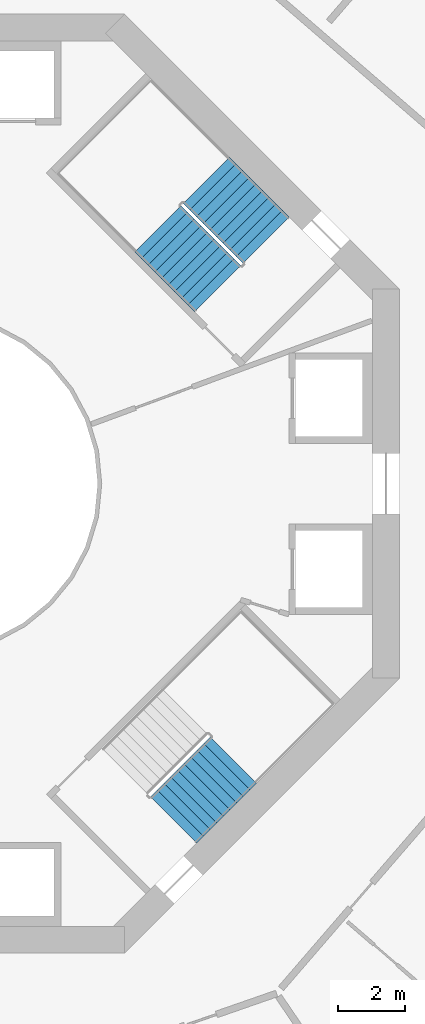
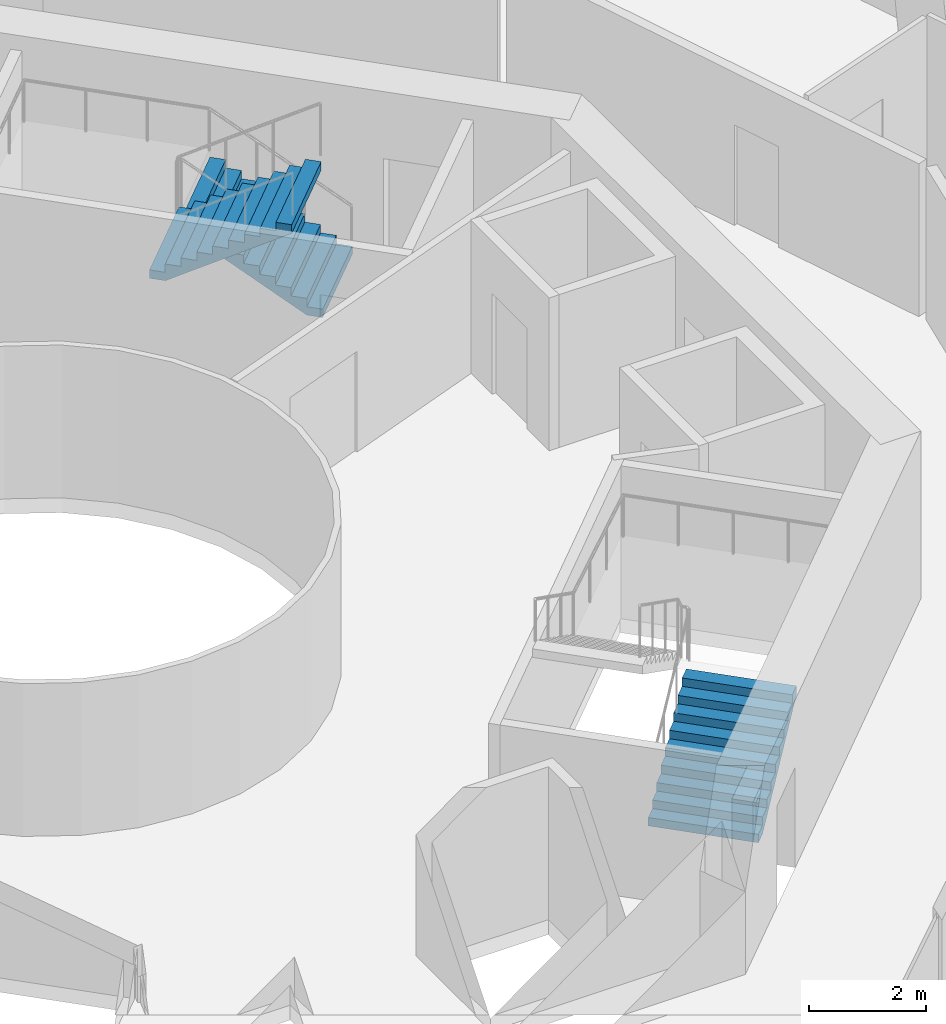
# One storey, part 22 of 23: 3 stair flights, 2 elements without a shape of their own.
"""IFC4 building model written with IfcOpenShell, lengths in metres."""

from ifc_helpers import new_model, si_unit, direction, frame, origin, place, context, subcontext, project, spatial, triangles, material, type_object, element, aggregate, save


model = new_model("IFC4")

# Units and contexts
model_context = context("Model", 3, precision=1e-05, world=origin(), true_north=direction((0.0, 1.0)))
body_context = subcontext(model_context, "Body", "Model", "MODEL_VIEW")
ifc_project = project(units=[si_unit("LENGTHUNIT", "METRE"), si_unit("AREAUNIT", "SQUARE_METRE"), si_unit("VOLUMEUNIT", "CUBIC_METRE"), si_unit("PLANEANGLEUNIT", "RADIAN"), si_unit("MASSUNIT", "GRAM", prefix="KILO")], contexts=[model_context])

# Site, building, storey
site_placement = place(None, origin())
site = spatial("IfcSite", under=ifc_project, at=site_placement, CompositionType="ELEMENT")
building_placement = place(site_placement, origin())
building = spatial("IfcBuilding", under=site, at=building_placement, Name="Verdalira Terraces Hotel", CompositionType="ELEMENT")
storey_placement = place(building_placement, frame((0.0, 0.0, 111.5)))
storey = spatial("IfcBuildingStorey", under=building, at=storey_placement, Name="L26", CompositionType="ELEMENT", Elevation=111.5)

# Stair, stair flights
ifc_material_1 = material(Name="Concrete C40", Category="concrete")
stair_type = type_object("IfcStairType", Name="Core stair 20 risers 1950 mm wide", PredefinedType="HALF_TURN_STAIR", material=ifc_material_1)
stair_1_placement = place(storey_placement, origin())
stair_1 = element("IfcStair", 1, at=stair_1_placement, inside=storey, type_object=stair_type, Name="L26 Exit stair ST1", PredefinedType="HALF_TURN_STAIR")
ifc_material_2 = material(Name="Concrete C40", Category="concrete")
stair_flight_type = type_object("IfcStairFlightType", Name="Core stair flight 20 risers 1950 mm wide", PredefinedType="STRAIGHT", material=ifc_material_2)
stair_flight_1_placement = place(storey_placement, frame((10.023193, 7.265625, 0.0), z_axis=(0.0, 0.0, 1.0), x_axis=(-0.707106781, 0.707106781, 0.0)))
stair_flight_1 = element("IfcStairFlight", 2, at=stair_flight_1_placement, type_object=stair_flight_type, Name="ST1 flight 1", NumberOfRisers=10, NumberOfTreads=9, PredefinedType="STRAIGHT", RiserHeight=0.175, TreadLength=0.28, context=body_context, shape_type="Tessellation", body=[
    triangles([(0.0, 0.974976, 0.0), (0.282715, 0.974976, 0.0), (2.52002, 0.974976, 1.398193), (0.0, -0.974976, 0.0), (0.282715, -0.974976, 0.0), (2.52002, -0.974976, 1.398193), (2.52002, 0.974976, 1.574951), (2.23999, 0.974976, 1.574951), (2.52002, -0.974976, 1.574951), (2.23999, -0.974976, 1.574951), (2.23999, 0.974976, 1.399902), (2.23999, -0.974976, 1.399902), (1.959961, 0.974976, 1.399902), (1.959961, -0.974976, 1.399902), (1.959961, 0.974976, 1.225098), (1.959961, -0.974976, 1.225098), (1.679932, 0.974976, 1.225098), (1.679932, 0.974976, 1.050049), (1.679932, -0.974976, 1.225098), (1.679932, -0.974976, 1.050049), (1.399902, 0.974976, 1.050049), (1.399902, 0.974976, 0.875), (1.399902, -0.974976, 1.050049), (1.399902, -0.974976, 0.875), (1.120117, 0.974976, 0.875), (1.120117, 0.974976, 0.699951), (1.120117, -0.974976, 0.875), (1.120117, -0.974976, 0.699951), (0.840088, 0.974976, 0.699951), (0.840088, 0.974976, 0.524902), (0.840088, -0.974976, 0.699951), (0.840088, -0.974976, 0.524902), (0.560059, 0.974976, 0.524902), (0.560059, 0.974976, 0.350098), (0.560059, -0.974976, 0.524902), (0.560059, -0.974976, 0.350098), (0.280029, 0.974976, 0.350098), (0.280029, 0.974976, 0.175049), (0.280029, -0.974976, 0.350098), (0.280029, -0.974976, 0.175049), (0.0, 0.974976, 0.175049), (0.0, -0.974976, 0.175049), (0.0, -0.91404, 0.0), (0.0, -0.91404, 0.175049), (0.0, -0.853104, 0.0), (0.0, -0.853104, 0.175049), (0.0, -0.792168, 0.0), (0.0, -0.792168, 0.175049), (0.0, -0.731232, 0.0), (0.0, -0.731232, 0.175049), (0.0, -0.670296, 0.0), (0.0, -0.670296, 0.175049), (0.0, -0.60936, 0.0), (0.0, -0.60936, 0.175049), (0.0, -0.548424, 0.0), (0.0, -0.548424, 0.175049), (0.0, -0.487488, 0.0), (0.0, -0.487488, 0.175049), (0.0, -0.426552, 0.0), (0.0, -0.426552, 0.175049), (0.0, -0.365616, 0.0), (0.0, -0.365616, 0.175049), (0.0, -0.30468, 0.0), (0.0, -0.30468, 0.175049), (0.0, -0.243744, 0.0), (0.0, -0.243744, 0.175049), (0.0, -0.182808, 0.0), (0.0, -0.182808, 0.175049), (0.0, -0.121872, 0.0), (0.0, -0.121872, 0.175049), (0.0, -0.060936, 0.0), (0.0, -0.060936, 0.175049), (0.0, 0.0, 0.0), (0.0, 0.0, 0.175049), (0.0, 0.060936, 0.0), (0.0, 0.060936, 0.175049), (0.0, 0.121872, 0.0), (0.0, 0.121872, 0.175049), (0.0, 0.182808, 0.0), (0.0, 0.182808, 0.175049), (0.0, 0.243744, 0.0), (0.0, 0.243744, 0.175049), (0.0, 0.30468, 0.0), (0.0, 0.30468, 0.175049), (0.0, 0.365616, 0.0), (0.0, 0.365616, 0.175049), (0.0, 0.426552, 0.0), (0.0, 0.426552, 0.175049), (0.0, 0.487488, 0.0), (0.0, 0.487488, 0.175049), (0.0, 0.548424, 0.0), (0.0, 0.548424, 0.175049), (0.0, 0.60936, 0.0), (0.0, 0.60936, 0.175049), (0.0, 0.670296, 0.0), (0.0, 0.670296, 0.175049), (0.0, 0.731232, 0.0), (0.0, 0.731232, 0.175049), (0.0, 0.792168, 0.0), (0.0, 0.792168, 0.175049), (0.0, 0.853104, 0.0), (0.0, 0.853104, 0.175049), (0.0, 0.91404, 0.0), (0.0, 0.91404, 0.175049), (2.52002, -0.91404, 1.574951), (2.52002, -0.853104, 1.574951), (2.52002, -0.792168, 1.574951), (2.52002, -0.731232, 1.574951), (2.52002, -0.670296, 1.574951), (2.52002, -0.60936, 1.574951), (2.52002, -0.548424, 1.574951), (2.52002, -0.487488, 1.574951), (2.52002, -0.426552, 1.574951), (2.52002, -0.365616, 1.574951), (2.52002, -0.30468, 1.574951), (2.52002, -0.243744, 1.574951), (2.52002, -0.182808, 1.574951), (2.52002, -0.121872, 1.574951), (2.52002, -0.060936, 1.574951), (2.52002, 0.0, 1.574951), (2.52002, 0.060936, 1.574951), (2.52002, 0.121872, 1.574951), (2.52002, 0.182808, 1.574951), (2.52002, 0.243744, 1.574951), (2.52002, 0.30468, 1.574951), (2.52002, 0.365616, 1.574951), (2.52002, 0.426552, 1.574951), (2.52002, 0.487488, 1.574951), (2.52002, 0.548424, 1.574951), (2.52002, 0.60936, 1.574951), (2.52002, 0.670296, 1.574951), (2.52002, 0.731232, 1.574951), (2.52002, 0.792168, 1.574951), (2.52002, 0.853104, 1.574951), (2.52002, 0.91404, 1.574951), (2.52002, -0.91404, 1.398193), (2.52002, -0.853104, 1.398193), (2.52002, -0.792168, 1.398193), (2.52002, -0.731232, 1.398193), (2.52002, -0.670296, 1.398193), (2.52002, -0.60936, 1.398193), (2.52002, -0.548424, 1.398193), (2.52002, -0.487488, 1.398193), (2.52002, -0.426552, 1.398193), (2.52002, -0.365616, 1.398193), (2.52002, -0.30468, 1.398193), (2.52002, -0.243744, 1.398193), (2.52002, -0.182808, 1.398193), (2.52002, -0.121872, 1.398193), (2.52002, -0.060936, 1.398193), (2.52002, 0.0, 1.398193), (2.52002, 0.060936, 1.398193), (2.52002, 0.121872, 1.398193), (2.52002, 0.182808, 1.398193), (2.52002, 0.243744, 1.398193), (2.52002, 0.30468, 1.398193), (2.52002, 0.365616, 1.398193), (2.52002, 0.426552, 1.398193), (2.52002, 0.487488, 1.398193), (2.52002, 0.548424, 1.398193), (2.52002, 0.60936, 1.398193), (2.52002, 0.670296, 1.398193), (2.52002, 0.731232, 1.398193), (2.52002, 0.792168, 1.398193), (2.52002, 0.853104, 1.398193), (2.52002, 0.91404, 1.398193)], [[1, 3, 2], [4, 5, 6], [3, 8, 7], [6, 9, 10], [3, 11, 8], [6, 10, 12], [3, 13, 11], [6, 12, 14], [3, 15, 13], [6, 14, 16], [15, 18, 17], [16, 19, 20], [3, 18, 15], [6, 16, 20], [18, 22, 21], [20, 23, 24], [3, 22, 18], [6, 20, 24], [22, 26, 25], [24, 27, 28], [3, 26, 22], [6, 24, 28], [26, 30, 29], [28, 31, 32], [3, 30, 26], [6, 28, 32], [1, 30, 3], [4, 6, 32], [30, 34, 33], [32, 35, 36], [34, 38, 37], [36, 39, 40], [30, 38, 34], [32, 36, 40], [1, 38, 30], [4, 32, 40], [38, 1, 41], [40, 42, 4], [4, 44, 43], [4, 42, 44], [43, 46, 45], [43, 44, 46], [45, 48, 47], [45, 46, 48], [47, 50, 49], [47, 48, 50], [49, 52, 51], [49, 50, 52], [51, 54, 53], [51, 52, 54], [53, 56, 55], [53, 54, 56], [55, 58, 57], [55, 56, 58], [57, 60, 59], [57, 58, 60], [59, 62, 61], [59, 60, 62], [61, 64, 63], [61, 62, 64], [63, 66, 65], [63, 64, 66], [65, 68, 67], [65, 66, 68], [67, 70, 69], [67, 68, 70], [69, 72, 71], [69, 70, 72], [71, 74, 73], [71, 72, 74], [73, 76, 75], [73, 74, 76], [75, 78, 77], [75, 76, 78], [77, 80, 79], [77, 78, 80], [79, 82, 81], [79, 80, 82], [81, 84, 83], [81, 82, 84], [83, 86, 85], [83, 84, 86], [85, 88, 87], [85, 86, 88], [87, 90, 89], [87, 88, 90], [89, 92, 91], [89, 90, 92], [91, 94, 93], [91, 92, 94], [93, 96, 95], [93, 94, 96], [95, 98, 97], [95, 96, 98], [97, 100, 99], [97, 98, 100], [99, 102, 101], [99, 100, 102], [101, 104, 103], [101, 102, 104], [103, 41, 1], [103, 104, 41], [42, 40, 44], [44, 40, 46], [46, 40, 48], [48, 40, 50], [50, 40, 52], [52, 40, 54], [54, 40, 56], [56, 40, 58], [58, 40, 60], [60, 40, 62], [62, 40, 64], [64, 40, 66], [66, 40, 68], [68, 40, 70], [70, 40, 72], [72, 40, 74], [74, 40, 76], [76, 40, 78], [78, 40, 80], [80, 40, 82], [82, 40, 84], [84, 40, 86], [86, 40, 88], [88, 40, 90], [90, 40, 92], [92, 40, 94], [94, 40, 96], [96, 40, 98], [98, 40, 100], [100, 40, 102], [102, 40, 104], [104, 40, 41], [41, 40, 38], [40, 37, 38], [40, 39, 37], [39, 34, 37], [39, 36, 34], [36, 33, 34], [36, 35, 33], [35, 30, 33], [35, 32, 30], [32, 29, 30], [32, 31, 29], [31, 26, 29], [31, 28, 26], [28, 25, 26], [28, 27, 25], [27, 22, 25], [27, 24, 22], [24, 21, 22], [24, 23, 21], [23, 18, 21], [23, 20, 18], [20, 17, 18], [20, 19, 17], [19, 15, 17], [19, 16, 15], [16, 13, 15], [16, 14, 13], [14, 11, 13], [14, 12, 11], [12, 8, 11], [12, 10, 8], [9, 105, 10], [105, 106, 10], [106, 107, 10], [107, 108, 10], [108, 109, 10], [109, 110, 10], [110, 111, 10], [111, 112, 10], [112, 113, 10], [113, 114, 10], [114, 115, 10], [115, 116, 10], [116, 117, 10], [117, 118, 10], [118, 119, 10], [119, 120, 10], [120, 121, 10], [121, 122, 10], [122, 123, 10], [123, 124, 10], [124, 125, 10], [125, 126, 10], [126, 127, 10], [127, 128, 10], [128, 129, 10], [129, 130, 10], [130, 131, 10], [131, 132, 10], [132, 133, 10], [133, 134, 10], [134, 135, 10], [135, 7, 10], [7, 8, 10], [9, 136, 105], [9, 6, 136], [105, 137, 106], [105, 136, 137], [106, 138, 107], [106, 137, 138], [107, 139, 108], [107, 138, 139], [108, 140, 109], [108, 139, 140], [109, 141, 110], [109, 140, 141], [110, 142, 111], [110, 141, 142], [111, 143, 112], [111, 142, 143], [112, 144, 113], [112, 143, 144], [113, 145, 114], [113, 144, 145], [114, 146, 115], [114, 145, 146], [115, 147, 116], [115, 146, 147], [116, 148, 117], [116, 147, 148], [117, 149, 118], [117, 148, 149], [118, 150, 119], [118, 149, 150], [119, 151, 120], [119, 150, 151], [120, 152, 121], [120, 151, 152], [121, 153, 122], [121, 152, 153], [122, 154, 123], [122, 153, 154], [123, 155, 124], [123, 154, 155], [124, 156, 125], [124, 155, 156], [125, 157, 126], [125, 156, 157], [126, 158, 127], [126, 157, 158], [127, 159, 128], [127, 158, 159], [128, 160, 129], [128, 159, 160], [129, 161, 130], [129, 160, 161], [130, 162, 131], [130, 161, 162], [131, 163, 132], [131, 162, 163], [132, 164, 133], [132, 163, 164], [133, 165, 134], [133, 164, 165], [134, 166, 135], [134, 165, 166], [135, 3, 7], [135, 166, 3], [6, 5, 136], [136, 5, 137], [137, 5, 138], [138, 5, 139], [139, 5, 140], [140, 5, 141], [141, 5, 142], [142, 5, 143], [143, 5, 144], [144, 5, 145], [145, 5, 146], [146, 5, 147], [147, 5, 148], [148, 5, 149], [149, 5, 150], [150, 5, 151], [151, 5, 152], [152, 5, 153], [153, 5, 154], [154, 5, 155], [155, 5, 156], [156, 5, 157], [157, 5, 158], [158, 5, 159], [159, 5, 160], [160, 5, 161], [161, 5, 162], [162, 5, 163], [163, 5, 164], [164, 5, 165], [165, 5, 166], [166, 5, 3], [3, 5, 2], [4, 43, 5], [43, 45, 5], [45, 47, 5], [47, 49, 5], [49, 51, 5], [51, 53, 5], [53, 55, 5], [55, 57, 5], [57, 59, 5], [59, 61, 5], [61, 63, 5], [63, 65, 5], [65, 67, 5], [67, 69, 5], [69, 71, 5], [71, 73, 5], [73, 75, 5], [75, 77, 5], [77, 79, 5], [79, 81, 5], [81, 83, 5], [83, 85, 5], [85, 87, 5], [87, 89, 5], [89, 91, 5], [91, 93, 5], [93, 95, 5], [95, 97, 5], [97, 99, 5], [99, 101, 5], [101, 103, 5], [103, 1, 5], [1, 2, 5]], closed=True),
])
stair_flight_2_placement = place(storey_placement, frame((6.791748, 7.5979, 1.75), z_axis=(0.0, 0.0, 1.0), x_axis=(0.707106781, -0.707106781, 0.0)))
stair_flight_2 = element("IfcStairFlight", 3, at=stair_flight_2_placement, type_object=stair_flight_type, Name="ST1 flight 2", NumberOfRisers=10, NumberOfTreads=9, PredefinedType="STRAIGHT", RiserHeight=0.175, TreadLength=0.28, context=body_context, shape_type="Tessellation", body=[
    triangles([(0.0, 0.974976, 0.0), (0.282715, 0.974976, 0.0), (2.52002, 0.974976, 1.398193), (0.0, -0.974976, 0.0), (0.282715, -0.974976, 0.0), (2.52002, -0.974976, 1.398193), (2.52002, 0.974976, 1.574951), (2.23999, 0.974976, 1.574951), (2.52002, -0.974976, 1.574951), (2.23999, -0.974976, 1.574951), (2.23999, 0.974976, 1.399902), (2.23999, -0.974976, 1.399902), (1.959961, 0.974976, 1.399902), (1.959961, -0.974976, 1.399902), (1.959961, 0.974976, 1.225098), (1.959961, -0.974976, 1.225098), (1.679932, 0.974976, 1.225098), (1.679932, 0.974976, 1.050049), (1.679932, -0.974976, 1.225098), (1.679932, -0.974976, 1.050049), (1.399902, 0.974976, 1.050049), (1.399902, 0.974976, 0.875), (1.399902, -0.974976, 1.050049), (1.399902, -0.974976, 0.875), (1.120117, 0.974976, 0.875), (1.120117, 0.974976, 0.699951), (1.120117, -0.974976, 0.875), (1.120117, -0.974976, 0.699951), (0.840088, 0.974976, 0.699951), (0.840088, 0.974976, 0.524902), (0.840088, -0.974976, 0.699951), (0.840088, -0.974976, 0.524902), (0.560059, 0.974976, 0.524902), (0.560059, 0.974976, 0.350098), (0.560059, -0.974976, 0.524902), (0.560059, -0.974976, 0.350098), (0.280029, 0.974976, 0.350098), (0.280029, 0.974976, 0.175049), (0.280029, -0.974976, 0.350098), (0.280029, -0.974976, 0.175049), (0.0, 0.974976, 0.175049), (0.0, -0.974976, 0.175049), (0.0, -0.91404, 0.0), (0.0, -0.91404, 0.175049), (0.0, -0.853104, 0.0), (0.0, -0.853104, 0.175049), (0.0, -0.792168, 0.0), (0.0, -0.792168, 0.175049), (0.0, -0.731232, 0.0), (0.0, -0.731232, 0.175049), (0.0, -0.670296, 0.0), (0.0, -0.670296, 0.175049), (0.0, -0.60936, 0.0), (0.0, -0.60936, 0.175049), (0.0, -0.548424, 0.0), (0.0, -0.548424, 0.175049), (0.0, -0.487488, 0.0), (0.0, -0.487488, 0.175049), (0.0, -0.426552, 0.0), (0.0, -0.426552, 0.175049), (0.0, -0.365616, 0.0), (0.0, -0.365616, 0.175049), (0.0, -0.30468, 0.0), (0.0, -0.30468, 0.175049), (0.0, -0.243744, 0.0), (0.0, -0.243744, 0.175049), (0.0, -0.182808, 0.0), (0.0, -0.182808, 0.175049), (0.0, -0.121872, 0.0), (0.0, -0.121872, 0.175049), (0.0, -0.060936, 0.0), (0.0, -0.060936, 0.175049), (0.0, 0.0, 0.0), (0.0, 0.0, 0.175049), (0.0, 0.060936, 0.0), (0.0, 0.060936, 0.175049), (0.0, 0.121872, 0.0), (0.0, 0.121872, 0.175049), (0.0, 0.182808, 0.0), (0.0, 0.182808, 0.175049), (0.0, 0.243744, 0.0), (0.0, 0.243744, 0.175049), (0.0, 0.30468, 0.0), (0.0, 0.30468, 0.175049), (0.0, 0.365616, 0.0), (0.0, 0.365616, 0.175049), (0.0, 0.426552, 0.0), (0.0, 0.426552, 0.175049), (0.0, 0.487488, 0.0), (0.0, 0.487488, 0.175049), (0.0, 0.548424, 0.0), (0.0, 0.548424, 0.175049), (0.0, 0.60936, 0.0), (0.0, 0.60936, 0.175049), (0.0, 0.670296, 0.0), (0.0, 0.670296, 0.175049), (0.0, 0.731232, 0.0), (0.0, 0.731232, 0.175049), (0.0, 0.792168, 0.0), (0.0, 0.792168, 0.175049), (0.0, 0.853104, 0.0), (0.0, 0.853104, 0.175049), (0.0, 0.91404, 0.0), (0.0, 0.91404, 0.175049), (2.52002, -0.91404, 1.574951), (2.52002, -0.853104, 1.574951), (2.52002, -0.792168, 1.574951), (2.52002, -0.731232, 1.574951), (2.52002, -0.670296, 1.574951), (2.52002, -0.60936, 1.574951), (2.52002, -0.548424, 1.574951), (2.52002, -0.487488, 1.574951), (2.52002, -0.426552, 1.574951), (2.52002, -0.365616, 1.574951), (2.52002, -0.30468, 1.574951), (2.52002, -0.243744, 1.574951), (2.52002, -0.182808, 1.574951), (2.52002, -0.121872, 1.574951), (2.52002, -0.060936, 1.574951), (2.52002, 0.0, 1.574951), (2.52002, 0.060936, 1.574951), (2.52002, 0.121872, 1.574951), (2.52002, 0.182808, 1.574951), (2.52002, 0.243744, 1.574951), (2.52002, 0.30468, 1.574951), (2.52002, 0.365616, 1.574951), (2.52002, 0.426552, 1.574951), (2.52002, 0.487488, 1.574951), (2.52002, 0.548424, 1.574951), (2.52002, 0.60936, 1.574951), (2.52002, 0.670296, 1.574951), (2.52002, 0.731232, 1.574951), (2.52002, 0.792168, 1.574951), (2.52002, 0.853104, 1.574951), (2.52002, 0.91404, 1.574951), (2.52002, -0.91404, 1.398193), (2.52002, -0.853104, 1.398193), (2.52002, -0.792168, 1.398193), (2.52002, -0.731232, 1.398193), (2.52002, -0.670296, 1.398193), (2.52002, -0.60936, 1.398193), (2.52002, -0.548424, 1.398193), (2.52002, -0.487488, 1.398193), (2.52002, -0.426552, 1.398193), (2.52002, -0.365616, 1.398193), (2.52002, -0.30468, 1.398193), (2.52002, -0.243744, 1.398193), (2.52002, -0.182808, 1.398193), (2.52002, -0.121872, 1.398193), (2.52002, -0.060936, 1.398193), (2.52002, 0.0, 1.398193), (2.52002, 0.060936, 1.398193), (2.52002, 0.121872, 1.398193), (2.52002, 0.182808, 1.398193), (2.52002, 0.243744, 1.398193), (2.52002, 0.30468, 1.398193), (2.52002, 0.365616, 1.398193), (2.52002, 0.426552, 1.398193), (2.52002, 0.487488, 1.398193), (2.52002, 0.548424, 1.398193), (2.52002, 0.60936, 1.398193), (2.52002, 0.670296, 1.398193), (2.52002, 0.731232, 1.398193), (2.52002, 0.792168, 1.398193), (2.52002, 0.853104, 1.398193), (2.52002, 0.91404, 1.398193)], [[1, 3, 2], [4, 5, 6], [3, 8, 7], [6, 9, 10], [3, 11, 8], [6, 10, 12], [3, 13, 11], [6, 12, 14], [3, 15, 13], [6, 14, 16], [15, 18, 17], [16, 19, 20], [3, 18, 15], [6, 16, 20], [18, 22, 21], [20, 23, 24], [3, 22, 18], [6, 20, 24], [22, 26, 25], [24, 27, 28], [3, 26, 22], [6, 24, 28], [26, 30, 29], [28, 31, 32], [3, 30, 26], [6, 28, 32], [1, 30, 3], [4, 6, 32], [30, 34, 33], [32, 35, 36], [34, 38, 37], [36, 39, 40], [30, 38, 34], [32, 36, 40], [1, 38, 30], [4, 32, 40], [38, 1, 41], [40, 42, 4], [4, 44, 43], [4, 42, 44], [43, 46, 45], [43, 44, 46], [45, 48, 47], [45, 46, 48], [47, 50, 49], [47, 48, 50], [49, 52, 51], [49, 50, 52], [51, 54, 53], [51, 52, 54], [53, 56, 55], [53, 54, 56], [55, 58, 57], [55, 56, 58], [57, 60, 59], [57, 58, 60], [59, 62, 61], [59, 60, 62], [61, 64, 63], [61, 62, 64], [63, 66, 65], [63, 64, 66], [65, 68, 67], [65, 66, 68], [67, 70, 69], [67, 68, 70], [69, 72, 71], [69, 70, 72], [71, 74, 73], [71, 72, 74], [73, 76, 75], [73, 74, 76], [75, 78, 77], [75, 76, 78], [77, 80, 79], [77, 78, 80], [79, 82, 81], [79, 80, 82], [81, 84, 83], [81, 82, 84], [83, 86, 85], [83, 84, 86], [85, 88, 87], [85, 86, 88], [87, 90, 89], [87, 88, 90], [89, 92, 91], [89, 90, 92], [91, 94, 93], [91, 92, 94], [93, 96, 95], [93, 94, 96], [95, 98, 97], [95, 96, 98], [97, 100, 99], [97, 98, 100], [99, 102, 101], [99, 100, 102], [101, 104, 103], [101, 102, 104], [103, 41, 1], [103, 104, 41], [42, 40, 44], [44, 40, 46], [46, 40, 48], [48, 40, 50], [50, 40, 52], [52, 40, 54], [54, 40, 56], [56, 40, 58], [58, 40, 60], [60, 40, 62], [62, 40, 64], [64, 40, 66], [66, 40, 68], [68, 40, 70], [70, 40, 72], [72, 40, 74], [74, 40, 76], [76, 40, 78], [78, 40, 80], [80, 40, 82], [82, 40, 84], [84, 40, 86], [86, 40, 88], [88, 40, 90], [90, 40, 92], [92, 40, 94], [94, 40, 96], [96, 40, 98], [98, 40, 100], [100, 40, 102], [102, 40, 104], [104, 40, 41], [41, 40, 38], [40, 37, 38], [40, 39, 37], [39, 34, 37], [39, 36, 34], [36, 33, 34], [36, 35, 33], [35, 30, 33], [35, 32, 30], [32, 29, 30], [32, 31, 29], [31, 26, 29], [31, 28, 26], [28, 25, 26], [28, 27, 25], [27, 22, 25], [27, 24, 22], [24, 21, 22], [24, 23, 21], [23, 18, 21], [23, 20, 18], [20, 17, 18], [20, 19, 17], [19, 15, 17], [19, 16, 15], [16, 13, 15], [16, 14, 13], [14, 11, 13], [14, 12, 11], [12, 8, 11], [12, 10, 8], [9, 105, 10], [105, 106, 10], [106, 107, 10], [107, 108, 10], [108, 109, 10], [109, 110, 10], [110, 111, 10], [111, 112, 10], [112, 113, 10], [113, 114, 10], [114, 115, 10], [115, 116, 10], [116, 117, 10], [117, 118, 10], [118, 119, 10], [119, 120, 10], [120, 121, 10], [121, 122, 10], [122, 123, 10], [123, 124, 10], [124, 125, 10], [125, 126, 10], [126, 127, 10], [127, 128, 10], [128, 129, 10], [129, 130, 10], [130, 131, 10], [131, 132, 10], [132, 133, 10], [133, 134, 10], [134, 135, 10], [135, 7, 10], [7, 8, 10], [9, 136, 105], [9, 6, 136], [105, 137, 106], [105, 136, 137], [106, 138, 107], [106, 137, 138], [107, 139, 108], [107, 138, 139], [108, 140, 109], [108, 139, 140], [109, 141, 110], [109, 140, 141], [110, 142, 111], [110, 141, 142], [111, 143, 112], [111, 142, 143], [112, 144, 113], [112, 143, 144], [113, 145, 114], [113, 144, 145], [114, 146, 115], [114, 145, 146], [115, 147, 116], [115, 146, 147], [116, 148, 117], [116, 147, 148], [117, 149, 118], [117, 148, 149], [118, 150, 119], [118, 149, 150], [119, 151, 120], [119, 150, 151], [120, 152, 121], [120, 151, 152], [121, 153, 122], [121, 152, 153], [122, 154, 123], [122, 153, 154], [123, 155, 124], [123, 154, 155], [124, 156, 125], [124, 155, 156], [125, 157, 126], [125, 156, 157], [126, 158, 127], [126, 157, 158], [127, 159, 128], [127, 158, 159], [128, 160, 129], [128, 159, 160], [129, 161, 130], [129, 160, 161], [130, 162, 131], [130, 161, 162], [131, 163, 132], [131, 162, 163], [132, 164, 133], [132, 163, 164], [133, 165, 134], [133, 164, 165], [134, 166, 135], [134, 165, 166], [135, 3, 7], [135, 166, 3], [6, 5, 136], [136, 5, 137], [137, 5, 138], [138, 5, 139], [139, 5, 140], [140, 5, 141], [141, 5, 142], [142, 5, 143], [143, 5, 144], [144, 5, 145], [145, 5, 146], [146, 5, 147], [147, 5, 148], [148, 5, 149], [149, 5, 150], [150, 5, 151], [151, 5, 152], [152, 5, 153], [153, 5, 154], [154, 5, 155], [155, 5, 156], [156, 5, 157], [157, 5, 158], [158, 5, 159], [159, 5, 160], [160, 5, 161], [161, 5, 162], [162, 5, 163], [163, 5, 164], [164, 5, 165], [165, 5, 166], [166, 5, 3], [3, 5, 2], [4, 43, 5], [43, 45, 5], [45, 47, 5], [47, 49, 5], [49, 51, 5], [51, 53, 5], [53, 55, 5], [55, 57, 5], [57, 59, 5], [59, 61, 5], [61, 63, 5], [63, 65, 5], [65, 67, 5], [67, 69, 5], [69, 71, 5], [71, 73, 5], [73, 75, 5], [75, 77, 5], [77, 79, 5], [79, 81, 5], [81, 83, 5], [83, 85, 5], [85, 87, 5], [87, 89, 5], [89, 91, 5], [91, 93, 5], [93, 95, 5], [95, 97, 5], [97, 99, 5], [99, 101, 5], [101, 103, 5], [103, 1, 5], [1, 2, 5]], closed=True),
])
aggregate(stair_1, [stair_flight_1, stair_flight_2])

# Stair, stair flight
stair_2_placement = place(storey_placement, origin())
stair_2 = element("IfcStair", 4, at=stair_2_placement, inside=storey, type_object=stair_type, Name="L26 Exit stair ST3", PredefinedType="HALF_TURN_STAIR")
stair_flight_3_placement = place(storey_placement, frame((7.265625, -10.023193, 0.0), z_axis=(0.0, 0.0, 1.0), x_axis=(0.707106781, 0.707106781, 0.0)))
stair_flight_3 = element("IfcStairFlight", 5, at=stair_flight_3_placement, type_object=stair_flight_type, Name="ST3 flight 1", NumberOfRisers=10, NumberOfTreads=9, PredefinedType="STRAIGHT", RiserHeight=0.175, TreadLength=0.28, context=body_context, shape_type="Tessellation", body=[
    triangles([(0.0, 0.974976, 0.0), (0.282715, 0.974976, 0.0), (2.52002, 0.974976, 1.398193), (0.0, -0.974976, 0.0), (0.282715, -0.974976, 0.0), (2.52002, -0.974976, 1.398193), (2.52002, 0.974976, 1.574951), (2.23999, 0.974976, 1.574951), (2.52002, -0.974976, 1.574951), (2.23999, -0.974976, 1.574951), (2.23999, 0.974976, 1.399902), (2.23999, -0.974976, 1.399902), (1.959961, 0.974976, 1.399902), (1.959961, -0.974976, 1.399902), (1.959961, 0.974976, 1.225098), (1.959961, -0.974976, 1.225098), (1.679932, 0.974976, 1.225098), (1.679932, 0.974976, 1.050049), (1.679932, -0.974976, 1.225098), (1.679932, -0.974976, 1.050049), (1.399902, 0.974976, 1.050049), (1.399902, 0.974976, 0.875), (1.399902, -0.974976, 1.050049), (1.399902, -0.974976, 0.875), (1.120117, 0.974976, 0.875), (1.120117, 0.974976, 0.699951), (1.120117, -0.974976, 0.875), (1.120117, -0.974976, 0.699951), (0.840088, 0.974976, 0.699951), (0.840088, 0.974976, 0.524902), (0.840088, -0.974976, 0.699951), (0.840088, -0.974976, 0.524902), (0.560059, 0.974976, 0.524902), (0.560059, 0.974976, 0.350098), (0.560059, -0.974976, 0.524902), (0.560059, -0.974976, 0.350098), (0.280029, 0.974976, 0.350098), (0.280029, 0.974976, 0.175049), (0.280029, -0.974976, 0.350098), (0.280029, -0.974976, 0.175049), (0.0, 0.974976, 0.175049), (0.0, -0.974976, 0.175049), (0.0, -0.91404, 0.0), (0.0, -0.91404, 0.175049), (0.0, -0.853104, 0.0), (0.0, -0.853104, 0.175049), (0.0, -0.792168, 0.0), (0.0, -0.792168, 0.175049), (0.0, -0.731232, 0.0), (0.0, -0.731232, 0.175049), (0.0, -0.670296, 0.0), (0.0, -0.670296, 0.175049), (0.0, -0.60936, 0.0), (0.0, -0.60936, 0.175049), (0.0, -0.548424, 0.0), (0.0, -0.548424, 0.175049), (0.0, -0.487488, 0.0), (0.0, -0.487488, 0.175049), (0.0, -0.426552, 0.0), (0.0, -0.426552, 0.175049), (0.0, -0.365616, 0.0), (0.0, -0.365616, 0.175049), (0.0, -0.30468, 0.0), (0.0, -0.30468, 0.175049), (0.0, -0.243744, 0.0), (0.0, -0.243744, 0.175049), (0.0, -0.182808, 0.0), (0.0, -0.182808, 0.175049), (0.0, -0.121872, 0.0), (0.0, -0.121872, 0.175049), (0.0, -0.060936, 0.0), (0.0, -0.060936, 0.175049), (0.0, 0.0, 0.0), (0.0, 0.0, 0.175049), (0.0, 0.060936, 0.0), (0.0, 0.060936, 0.175049), (0.0, 0.121872, 0.0), (0.0, 0.121872, 0.175049), (0.0, 0.182808, 0.0), (0.0, 0.182808, 0.175049), (0.0, 0.243744, 0.0), (0.0, 0.243744, 0.175049), (0.0, 0.30468, 0.0), (0.0, 0.30468, 0.175049), (0.0, 0.365616, 0.0), (0.0, 0.365616, 0.175049), (0.0, 0.426552, 0.0), (0.0, 0.426552, 0.175049), (0.0, 0.487488, 0.0), (0.0, 0.487488, 0.175049), (0.0, 0.548424, 0.0), (0.0, 0.548424, 0.175049), (0.0, 0.60936, 0.0), (0.0, 0.60936, 0.175049), (0.0, 0.670296, 0.0), (0.0, 0.670296, 0.175049), (0.0, 0.731232, 0.0), (0.0, 0.731232, 0.175049), (0.0, 0.792168, 0.0), (0.0, 0.792168, 0.175049), (0.0, 0.853104, 0.0), (0.0, 0.853104, 0.175049), (0.0, 0.91404, 0.0), (0.0, 0.91404, 0.175049), (2.52002, -0.91404, 1.574951), (2.52002, -0.853104, 1.574951), (2.52002, -0.792168, 1.574951), (2.52002, -0.731232, 1.574951), (2.52002, -0.670296, 1.574951), (2.52002, -0.60936, 1.574951), (2.52002, -0.548424, 1.574951), (2.52002, -0.487488, 1.574951), (2.52002, -0.426552, 1.574951), (2.52002, -0.365616, 1.574951), (2.52002, -0.30468, 1.574951), (2.52002, -0.243744, 1.574951), (2.52002, -0.182808, 1.574951), (2.52002, -0.121872, 1.574951), (2.52002, -0.060936, 1.574951), (2.52002, 0.0, 1.574951), (2.52002, 0.060936, 1.574951), (2.52002, 0.121872, 1.574951), (2.52002, 0.182808, 1.574951), (2.52002, 0.243744, 1.574951), (2.52002, 0.30468, 1.574951), (2.52002, 0.365616, 1.574951), (2.52002, 0.426552, 1.574951), (2.52002, 0.487488, 1.574951), (2.52002, 0.548424, 1.574951), (2.52002, 0.60936, 1.574951), (2.52002, 0.670296, 1.574951), (2.52002, 0.731232, 1.574951), (2.52002, 0.792168, 1.574951), (2.52002, 0.853104, 1.574951), (2.52002, 0.91404, 1.574951), (2.52002, -0.91404, 1.398193), (2.52002, -0.853104, 1.398193), (2.52002, -0.792168, 1.398193), (2.52002, -0.731232, 1.398193), (2.52002, -0.670296, 1.398193), (2.52002, -0.60936, 1.398193), (2.52002, -0.548424, 1.398193), (2.52002, -0.487488, 1.398193), (2.52002, -0.426552, 1.398193), (2.52002, -0.365616, 1.398193), (2.52002, -0.30468, 1.398193), (2.52002, -0.243744, 1.398193), (2.52002, -0.182808, 1.398193), (2.52002, -0.121872, 1.398193), (2.52002, -0.060936, 1.398193), (2.52002, 0.0, 1.398193), (2.52002, 0.060936, 1.398193), (2.52002, 0.121872, 1.398193), (2.52002, 0.182808, 1.398193), (2.52002, 0.243744, 1.398193), (2.52002, 0.30468, 1.398193), (2.52002, 0.365616, 1.398193), (2.52002, 0.426552, 1.398193), (2.52002, 0.487488, 1.398193), (2.52002, 0.548424, 1.398193), (2.52002, 0.60936, 1.398193), (2.52002, 0.670296, 1.398193), (2.52002, 0.731232, 1.398193), (2.52002, 0.792168, 1.398193), (2.52002, 0.853104, 1.398193), (2.52002, 0.91404, 1.398193)], [[1, 3, 2], [4, 5, 6], [3, 8, 7], [6, 9, 10], [3, 11, 8], [6, 10, 12], [3, 13, 11], [6, 12, 14], [3, 15, 13], [6, 14, 16], [15, 18, 17], [16, 19, 20], [3, 18, 15], [6, 16, 20], [18, 22, 21], [20, 23, 24], [3, 22, 18], [6, 20, 24], [22, 26, 25], [24, 27, 28], [3, 26, 22], [6, 24, 28], [26, 30, 29], [28, 31, 32], [3, 30, 26], [6, 28, 32], [1, 30, 3], [4, 6, 32], [30, 34, 33], [32, 35, 36], [34, 38, 37], [36, 39, 40], [30, 38, 34], [32, 36, 40], [1, 38, 30], [4, 32, 40], [38, 1, 41], [40, 42, 4], [4, 44, 43], [4, 42, 44], [43, 46, 45], [43, 44, 46], [45, 48, 47], [45, 46, 48], [47, 50, 49], [47, 48, 50], [49, 52, 51], [49, 50, 52], [51, 54, 53], [51, 52, 54], [53, 56, 55], [53, 54, 56], [55, 58, 57], [55, 56, 58], [57, 60, 59], [57, 58, 60], [59, 62, 61], [59, 60, 62], [61, 64, 63], [61, 62, 64], [63, 66, 65], [63, 64, 66], [65, 68, 67], [65, 66, 68], [67, 70, 69], [67, 68, 70], [69, 72, 71], [69, 70, 72], [71, 74, 73], [71, 72, 74], [73, 76, 75], [73, 74, 76], [75, 78, 77], [75, 76, 78], [77, 80, 79], [77, 78, 80], [79, 82, 81], [79, 80, 82], [81, 84, 83], [81, 82, 84], [83, 86, 85], [83, 84, 86], [85, 88, 87], [85, 86, 88], [87, 90, 89], [87, 88, 90], [89, 92, 91], [89, 90, 92], [91, 94, 93], [91, 92, 94], [93, 96, 95], [93, 94, 96], [95, 98, 97], [95, 96, 98], [97, 100, 99], [97, 98, 100], [99, 102, 101], [99, 100, 102], [101, 104, 103], [101, 102, 104], [103, 41, 1], [103, 104, 41], [42, 40, 44], [44, 40, 46], [46, 40, 48], [48, 40, 50], [50, 40, 52], [52, 40, 54], [54, 40, 56], [56, 40, 58], [58, 40, 60], [60, 40, 62], [62, 40, 64], [64, 40, 66], [66, 40, 68], [68, 40, 70], [70, 40, 72], [72, 40, 74], [74, 40, 76], [76, 40, 78], [78, 40, 80], [80, 40, 82], [82, 40, 84], [84, 40, 86], [86, 40, 88], [88, 40, 90], [90, 40, 92], [92, 40, 94], [94, 40, 96], [96, 40, 98], [98, 40, 100], [100, 40, 102], [102, 40, 104], [104, 40, 41], [41, 40, 38], [40, 37, 38], [40, 39, 37], [39, 34, 37], [39, 36, 34], [36, 33, 34], [36, 35, 33], [35, 30, 33], [35, 32, 30], [32, 29, 30], [32, 31, 29], [31, 26, 29], [31, 28, 26], [28, 25, 26], [28, 27, 25], [27, 22, 25], [27, 24, 22], [24, 21, 22], [24, 23, 21], [23, 18, 21], [23, 20, 18], [20, 17, 18], [20, 19, 17], [19, 15, 17], [19, 16, 15], [16, 13, 15], [16, 14, 13], [14, 11, 13], [14, 12, 11], [12, 8, 11], [12, 10, 8], [9, 105, 10], [105, 106, 10], [106, 107, 10], [107, 108, 10], [108, 109, 10], [109, 110, 10], [110, 111, 10], [111, 112, 10], [112, 113, 10], [113, 114, 10], [114, 115, 10], [115, 116, 10], [116, 117, 10], [117, 118, 10], [118, 119, 10], [119, 120, 10], [120, 121, 10], [121, 122, 10], [122, 123, 10], [123, 124, 10], [124, 125, 10], [125, 126, 10], [126, 127, 10], [127, 128, 10], [128, 129, 10], [129, 130, 10], [130, 131, 10], [131, 132, 10], [132, 133, 10], [133, 134, 10], [134, 135, 10], [135, 7, 10], [7, 8, 10], [9, 136, 105], [9, 6, 136], [105, 137, 106], [105, 136, 137], [106, 138, 107], [106, 137, 138], [107, 139, 108], [107, 138, 139], [108, 140, 109], [108, 139, 140], [109, 141, 110], [109, 140, 141], [110, 142, 111], [110, 141, 142], [111, 143, 112], [111, 142, 143], [112, 144, 113], [112, 143, 144], [113, 145, 114], [113, 144, 145], [114, 146, 115], [114, 145, 146], [115, 147, 116], [115, 146, 147], [116, 148, 117], [116, 147, 148], [117, 149, 118], [117, 148, 149], [118, 150, 119], [118, 149, 150], [119, 151, 120], [119, 150, 151], [120, 152, 121], [120, 151, 152], [121, 153, 122], [121, 152, 153], [122, 154, 123], [122, 153, 154], [123, 155, 124], [123, 154, 155], [124, 156, 125], [124, 155, 156], [125, 157, 126], [125, 156, 157], [126, 158, 127], [126, 157, 158], [127, 159, 128], [127, 158, 159], [128, 160, 129], [128, 159, 160], [129, 161, 130], [129, 160, 161], [130, 162, 131], [130, 161, 162], [131, 163, 132], [131, 162, 163], [132, 164, 133], [132, 163, 164], [133, 165, 134], [133, 164, 165], [134, 166, 135], [134, 165, 166], [135, 3, 7], [135, 166, 3], [6, 5, 136], [136, 5, 137], [137, 5, 138], [138, 5, 139], [139, 5, 140], [140, 5, 141], [141, 5, 142], [142, 5, 143], [143, 5, 144], [144, 5, 145], [145, 5, 146], [146, 5, 147], [147, 5, 148], [148, 5, 149], [149, 5, 150], [150, 5, 151], [151, 5, 152], [152, 5, 153], [153, 5, 154], [154, 5, 155], [155, 5, 156], [156, 5, 157], [157, 5, 158], [158, 5, 159], [159, 5, 160], [160, 5, 161], [161, 5, 162], [162, 5, 163], [163, 5, 164], [164, 5, 165], [165, 5, 166], [166, 5, 3], [3, 5, 2], [4, 43, 5], [43, 45, 5], [45, 47, 5], [47, 49, 5], [49, 51, 5], [51, 53, 5], [53, 55, 5], [55, 57, 5], [57, 59, 5], [59, 61, 5], [61, 63, 5], [63, 65, 5], [65, 67, 5], [67, 69, 5], [69, 71, 5], [71, 73, 5], [73, 75, 5], [75, 77, 5], [77, 79, 5], [79, 81, 5], [81, 83, 5], [83, 85, 5], [85, 87, 5], [87, 89, 5], [89, 91, 5], [91, 93, 5], [93, 95, 5], [95, 97, 5], [97, 99, 5], [99, 101, 5], [101, 103, 5], [103, 1, 5], [1, 2, 5]], closed=True),
])
aggregate(stair_2, [stair_flight_3])

save(model, "model.ifc")
